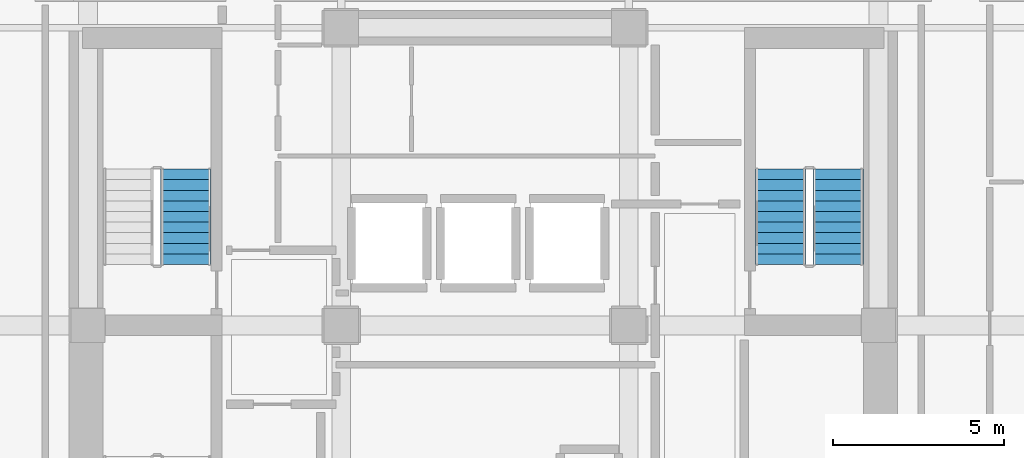
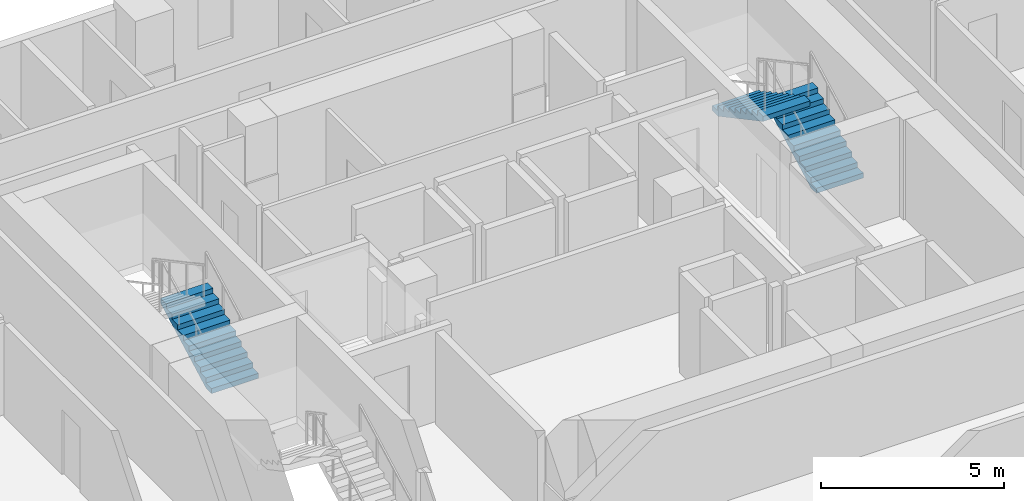
# One storey, part 7 of 11: 3 stair flights, 2 elements without a shape of their own.
"""IFC4 building model written with IfcOpenShell, lengths in metres."""

from ifc_helpers import new_model, si_unit, direction, frame, origin, place, context, subcontext, project, spatial, polyline, outline, extrude, material, type_object, element, aggregate, save


model = new_model("IFC4")

# Units and contexts
model_context = context("Model", 3, precision=1e-05, world=origin(), true_north=direction((0.0, 1.0)))
body_context = subcontext(model_context, "Body", "Model", "MODEL_VIEW")
ifc_project = project(units=[si_unit("LENGTHUNIT", "METRE"), si_unit("AREAUNIT", "SQUARE_METRE"), si_unit("VOLUMEUNIT", "CUBIC_METRE"), si_unit("PLANEANGLEUNIT", "RADIAN"), si_unit("MASSUNIT", "GRAM", prefix="KILO")], contexts=[model_context])

# Site, building, storey
site_placement = place(None, origin())
site = spatial("IfcSite", under=ifc_project, at=site_placement, CompositionType="ELEMENT")
building_placement = place(site_placement, origin())
building = spatial("IfcBuilding", under=site, at=building_placement, Name="Solanera Arch Residences", CompositionType="ELEMENT")
storey_placement = place(building_placement, frame((0.0, 0.0, 116.0400390625)))
storey = spatial("IfcBuildingStorey", under=building, at=storey_placement, Name="L33", CompositionType="ELEMENT", Elevation=116.0400390625)

# Stair, stair flight
ifc_material_1 = material(Name="Concrete C40/50 (f'c = 45 MPa)", Category="concrete")
stair_type = type_object("IfcStairType", Name="Tower Dogleg Exit Stair 1480", PredefinedType="HALF_TURN_STAIR", material=ifc_material_1)
stair_1_placement = place(storey_placement, origin())
stair_1 = element("IfcStair", 1, at=stair_1_placement, inside=storey, type_object=stair_type, Name="L33 Tower Core Exit Stair 1", PredefinedType="HALF_TURN_STAIR")
ifc_material_2 = material(Name="Concrete C40/50 (f'c = 45 MPa)", Category="concrete")
stair_flight_type = type_object("IfcStairFlightType", Name="Tower Precast Stair Flight 1480", PredefinedType="STRAIGHT", material=ifc_material_2)
stair_flight_1_placement = place(storey_placement, frame((16.260009765625, 32.47998046875, 0.0), z_axis=(0.0, 0.0, 1.0), x_axis=(0.0, 1.0, 0.0)))
stair_flight_1 = element("IfcStairFlight", 2, at=stair_flight_1_placement, type_object=stair_flight_type, Name="ST-T1 flight 1", NumberOfRisers=10, NumberOfTreads=9, PredefinedType="STRAIGHT", RiserHeight=0.166, TreadLength=0.31, context=body_context, shape_type="SweptSolid", body=[
    extrude(outline(polyline([(0.0, 0.0), (0.0, 0.166015625), (0.31005859375, 0.166015625), (0.31005859375, 0.33203125), (0.6201171875, 0.33203125), (0.6201171875, 0.498046875), (0.929931640625, 0.498046875), (0.929931640625, 0.6640625), (1.239990234375, 0.6640625), (1.239990234375, 0.830078125), (1.550048828125, 0.830078125), (1.550048828125, 0.99609375), (1.860107421875, 0.99609375), (1.860107421875, 1.162109375), (2.169921875, 1.162109375), (2.169921875, 1.327880859375), (2.47998046875, 1.327880859375), (2.47998046875, 1.493896484375), (2.7900390625, 1.493896484375), (2.7900390625, 1.659912109375), (2.7900390625, 1.323974609375), (0.317626953125, 0.0), (0.0, 0.0)])), frame((0.0, 0.739990234375, 0.0), z_axis=(0.0, -1.0, 0.0), x_axis=(1.0, 0.0, 0.0)), (0.0, 0.0, 1.0), 1.47998046875),
])
aggregate(stair_1, [stair_flight_1])

# Stair, stair flights
stair_2_placement = place(storey_placement, origin())
stair_2 = element("IfcStair", 3, at=stair_2_placement, inside=storey, type_object=stair_type, Name="L33 Tower Core Exit Stair 2", PredefinedType="HALF_TURN_STAIR")
stair_flight_2_placement = place(storey_placement, frame((35.320068359375, 32.47998046875, 0.0), z_axis=(0.0, 0.0, 1.0), x_axis=(0.0, 1.0, 0.0)))
stair_flight_2 = element("IfcStairFlight", 4, at=stair_flight_2_placement, type_object=stair_flight_type, Name="ST-T2 flight 1", NumberOfRisers=10, NumberOfTreads=9, PredefinedType="STRAIGHT", RiserHeight=0.166, TreadLength=0.31, context=body_context, shape_type="SweptSolid", body=[
    extrude(outline(polyline([(0.0, 0.0), (0.0, 0.166015625), (0.31005859375, 0.166015625), (0.31005859375, 0.33203125), (0.6201171875, 0.33203125), (0.6201171875, 0.498046875), (0.929931640625, 0.498046875), (0.929931640625, 0.6640625), (1.239990234375, 0.6640625), (1.239990234375, 0.830078125), (1.550048828125, 0.830078125), (1.550048828125, 0.99609375), (1.860107421875, 0.99609375), (1.860107421875, 1.162109375), (2.169921875, 1.162109375), (2.169921875, 1.327880859375), (2.47998046875, 1.327880859375), (2.47998046875, 1.493896484375), (2.7900390625, 1.493896484375), (2.7900390625, 1.659912109375), (2.7900390625, 1.323974609375), (0.317626953125, 0.0), (0.0, 0.0)])), frame((0.0, 0.739990234375, 0.0), z_axis=(0.0, -1.0, 0.0), x_axis=(1.0, 0.0, 0.0)), (0.0, 0.0, 1.0), 1.47998046875),
])
stair_flight_3_placement = place(storey_placement, frame((33.639892578125, 35.27001953125, 1.659912109375), z_axis=(0.0, 0.0, 1.0), x_axis=(0.0, -1.0, 0.0)))
stair_flight_3 = element("IfcStairFlight", 5, at=stair_flight_3_placement, type_object=stair_flight_type, Name="ST-T2 flight 2", NumberOfRisers=10, NumberOfTreads=9, PredefinedType="STRAIGHT", RiserHeight=0.166, TreadLength=0.31, context=body_context, shape_type="SweptSolid", body=[
    extrude(outline(polyline([(0.0, 0.0), (0.0, 0.166015625), (0.31005859375, 0.166015625), (0.31005859375, 0.33203125), (0.6201171875, 0.33203125), (0.6201171875, 0.498046875), (0.929931640625, 0.498046875), (0.929931640625, 0.6640625), (1.239990234375, 0.6640625), (1.239990234375, 0.830078125), (1.550048828125, 0.830078125), (1.550048828125, 0.99609375), (1.860107421875, 0.99609375), (1.860107421875, 1.162109375), (2.169921875, 1.162109375), (2.169921875, 1.327880859375), (2.47998046875, 1.327880859375), (2.47998046875, 1.493896484375), (2.7900390625, 1.493896484375), (2.7900390625, 1.659912109375), (2.7900390625, 1.323974609375), (0.317626953125, 0.0), (0.0, 0.0)])), frame((0.0, 0.739990234375, 0.0), z_axis=(0.0, -1.0, 0.0), x_axis=(1.0, 0.0, 0.0)), (0.0, 0.0, 1.0), 1.47998046875),
])
aggregate(stair_2, [stair_flight_2, stair_flight_3])

save(model, "model.ifc")
